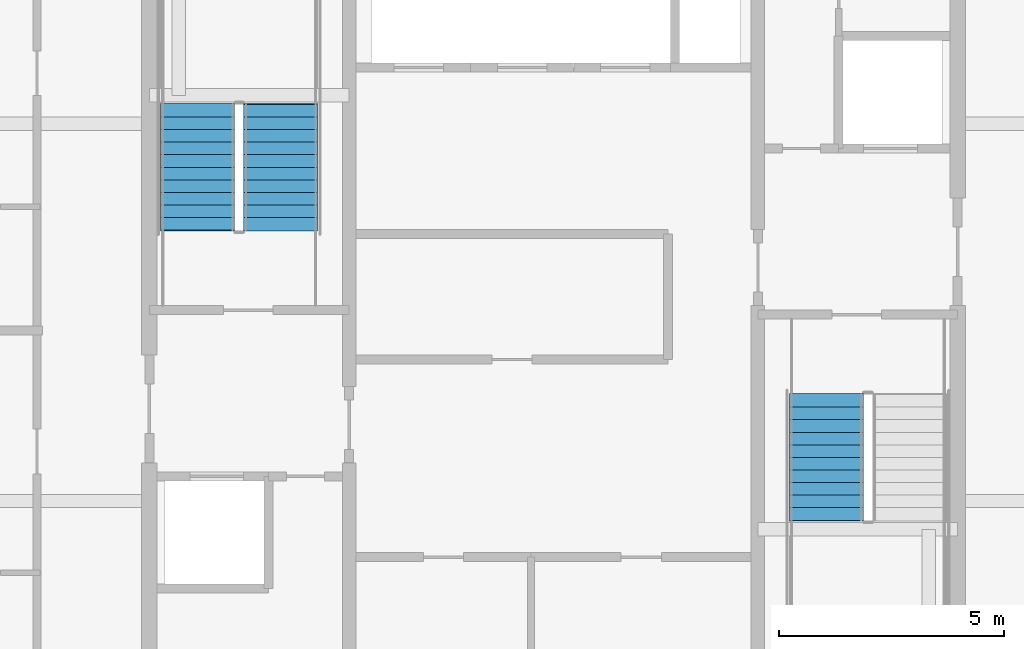
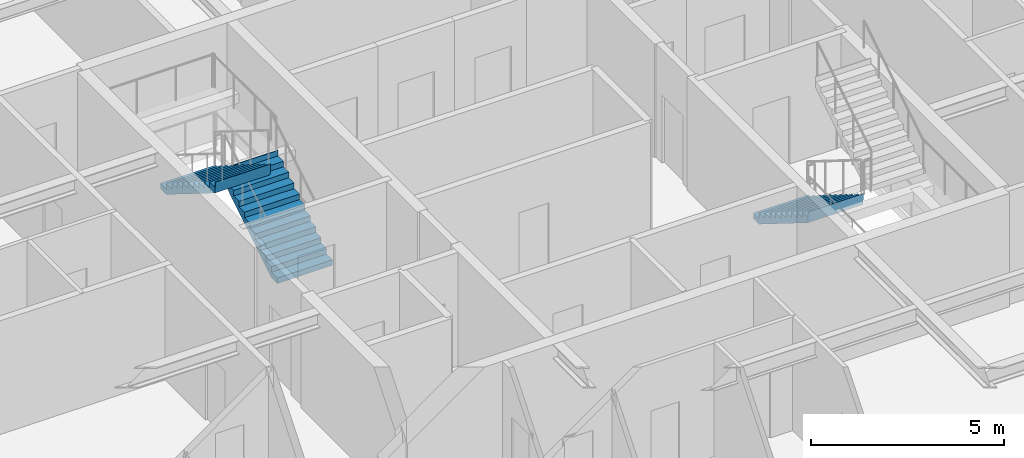
# One storey, part 31 of 37: 3 stair flights, 2 elements without a shape of their own.
"""IFC4 building model written with IfcOpenShell, lengths in metres."""

from ifc_helpers import new_model, si_unit, direction, frame, origin, place, context, subcontext, project, spatial, polygons, material, type_object, element, aggregate, save


model = new_model("IFC4")

# Units and contexts
model_context = context("Model", 3, precision=1e-05, world=origin(), true_north=direction((0.0, 1.0)))
body_context = subcontext(model_context, "Body", "Model", "MODEL_VIEW")
ifc_project = project(units=[si_unit("LENGTHUNIT", "METRE"), si_unit("AREAUNIT", "SQUARE_METRE"), si_unit("VOLUMEUNIT", "CUBIC_METRE"), si_unit("PLANEANGLEUNIT", "RADIAN"), si_unit("MASSUNIT", "GRAM", prefix="KILO")], contexts=[model_context])

# Site, building, storey
site_placement = place(None, origin())
site = spatial("IfcSite", under=ifc_project, at=site_placement, CompositionType="ELEMENT")
building_placement = place(site_placement, origin())
building = spatial("IfcBuilding", under=site, at=building_placement, Name="Serunith Strait Residences", CompositionType="ELEMENT")
storey_placement = place(building_placement, frame((0.0, 0.0, 248.949951171875)))
storey = spatial("IfcBuildingStorey", under=building, at=storey_placement, Name="L62", CompositionType="ELEMENT", Elevation=248.949951171875)

# Stair, stair flights
ifc_material = material(Name="Concrete C50/60", Category="concrete")
stair_type_1 = type_object("IfcStairType", Name="STR-CORE-1", PredefinedType="HALF_TURN_STAIR", material=ifc_material)
stair_1_placement = place(storey_placement, origin())
stair_1 = element("IfcStair", 1, at=stair_1_placement, inside=storey, type_object=stair_type_1, Name="L62 Protected Escape Stair ST-1", PredefinedType="HALF_TURN_STAIR")
stair_flight_type_1 = type_object("IfcStairFlightType", Name="FLT-CORE-1", PredefinedType="STRAIGHT", material=ifc_material)
stair_flight_1_placement = place(storey_placement, frame((26.324951171875, 27.030029296875, 0.0), z_axis=(0.0, 0.0, 1.0), x_axis=(0.0, 1.0, 0.0)))
stair_flight_1 = element("IfcStairFlight", 2, at=stair_flight_1_placement, type_object=stair_flight_type_1, Name="ST-1 flight 1", NumberOfRisers=11, NumberOfTreads=10, PredefinedType="STRAIGHT", RiserHeight=0.175, TreadLength=0.28, context=body_context, shape_type="Tessellation", body=[
    polygons([(-0.02001953125, -0.824951171875, 0.0), (-0.02001953125, -0.824951171875, 0.175048828125), (0.280029296875, -0.824951171875, 0.175048828125), (0.280029296875, -0.824951171875, 0.35009765625), (0.56005859375, -0.824951171875, 0.35009765625), (0.56005859375, -0.824951171875, 0.52490234375), (0.840087890625, -0.824951171875, 0.52490234375), (0.840087890625, -0.824951171875, 0.699951171875), (1.1201171875, -0.824951171875, 0.699951171875), (1.1201171875, -0.824951171875, 0.875), (1.39990234375, -0.824951171875, 0.875), (1.39990234375, -0.824951171875, 1.050048828125), (1.679931640625, -0.824951171875, 1.050048828125), (1.679931640625, -0.824951171875, 1.22509765625), (1.9599609375, -0.824951171875, 1.22509765625), (1.9599609375, -0.824951171875, 1.39990234375), (2.239990234375, -0.824951171875, 1.39990234375), (2.239990234375, -0.824951171875, 1.574951171875), (2.52001953125, -0.824951171875, 1.574951171875), (2.52001953125, -0.824951171875, 1.75), (2.800048828125, -0.824951171875, 1.75), (2.800048828125, -0.824951171875, 1.925048828125), (2.820068359375, -0.824951171875, 1.925048828125), (2.820068359375, -0.824951171875, 1.864990234375), (2.800048828125, -0.824951171875, 1.5732421875), (0.28271484375, -0.824951171875, 0.0), (-0.02001953125, -0.41259765625, 0.0), (-0.02001953125, -0.41259765625, 0.175048828125), (0.280029296875, -0.41259765625, 0.175048828125), (0.280029296875, -0.41259765625, 0.35009765625), (0.56005859375, -0.41259765625, 0.35009765625), (0.56005859375, -0.41259765625, 0.52490234375), (0.840087890625, -0.41259765625, 0.52490234375), (0.840087890625, -0.41259765625, 0.699951171875), (1.1201171875, -0.41259765625, 0.699951171875), (1.1201171875, -0.41259765625, 0.875), (1.39990234375, -0.41259765625, 0.875), (1.39990234375, -0.41259765625, 1.050048828125), (1.679931640625, -0.41259765625, 1.050048828125), (1.679931640625, -0.41259765625, 1.22509765625), (1.9599609375, -0.41259765625, 1.22509765625), (1.9599609375, -0.41259765625, 1.39990234375), (2.239990234375, -0.41259765625, 1.39990234375), (2.239990234375, -0.41259765625, 1.574951171875), (2.52001953125, -0.41259765625, 1.574951171875), (2.52001953125, -0.41259765625, 1.75), (2.800048828125, -0.41259765625, 1.75), (2.800048828125, -0.41259765625, 1.925048828125), (2.820068359375, -0.41259765625, 1.925048828125), (2.820068359375, -0.41259765625, 1.864990234375), (2.800048828125, -0.41259765625, 1.5732421875), (0.28271484375, -0.41259765625, 0.0), (-0.02001953125, 0.0, 0.0), (-0.02001953125, 0.0, 0.175048828125), (0.280029296875, 0.0, 0.175048828125), (0.280029296875, 0.0, 0.35009765625), (0.56005859375, 0.0, 0.35009765625), (0.56005859375, 0.0, 0.52490234375), (0.840087890625, 0.0, 0.52490234375), (0.840087890625, 0.0, 0.699951171875), (1.1201171875, 0.0, 0.699951171875), (1.1201171875, 0.0, 0.875), (1.39990234375, 0.0, 0.875), (1.39990234375, 0.0, 1.050048828125), (1.679931640625, 0.0, 1.050048828125), (1.679931640625, 0.0, 1.22509765625), (1.9599609375, 0.0, 1.22509765625), (1.9599609375, 0.0, 1.39990234375), (2.239990234375, 0.0, 1.39990234375), (2.239990234375, 0.0, 1.574951171875), (2.52001953125, 0.0, 1.574951171875), (2.52001953125, 0.0, 1.75), (2.800048828125, 0.0, 1.75), (2.800048828125, 0.0, 1.925048828125), (2.820068359375, 0.0, 1.925048828125), (2.820068359375, 0.0, 1.864990234375), (2.800048828125, 0.0, 1.5732421875), (0.28271484375, 0.0, 0.0), (-0.02001953125, 0.41259765625, 0.0), (-0.02001953125, 0.41259765625, 0.175048828125), (0.280029296875, 0.41259765625, 0.175048828125), (0.280029296875, 0.41259765625, 0.35009765625), (0.56005859375, 0.41259765625, 0.35009765625), (0.56005859375, 0.41259765625, 0.52490234375), (0.840087890625, 0.41259765625, 0.52490234375), (0.840087890625, 0.41259765625, 0.699951171875), (1.1201171875, 0.41259765625, 0.699951171875), (1.1201171875, 0.41259765625, 0.875), (1.39990234375, 0.41259765625, 0.875), (1.39990234375, 0.41259765625, 1.050048828125), (1.679931640625, 0.41259765625, 1.050048828125), (1.679931640625, 0.41259765625, 1.22509765625), (1.9599609375, 0.41259765625, 1.22509765625), (1.9599609375, 0.41259765625, 1.39990234375), (2.239990234375, 0.41259765625, 1.39990234375), (2.239990234375, 0.41259765625, 1.574951171875), (2.52001953125, 0.41259765625, 1.574951171875), (2.52001953125, 0.41259765625, 1.75), (2.800048828125, 0.41259765625, 1.75), (2.800048828125, 0.41259765625, 1.925048828125), (2.820068359375, 0.41259765625, 1.925048828125), (2.820068359375, 0.41259765625, 1.864990234375), (2.800048828125, 0.41259765625, 1.5732421875), (0.28271484375, 0.41259765625, 0.0), (-0.02001953125, 0.824951171875, 0.0), (-0.02001953125, 0.824951171875, 0.175048828125), (0.280029296875, 0.824951171875, 0.175048828125), (0.280029296875, 0.824951171875, 0.35009765625), (0.56005859375, 0.824951171875, 0.35009765625), (0.56005859375, 0.824951171875, 0.52490234375), (0.840087890625, 0.824951171875, 0.52490234375), (0.840087890625, 0.824951171875, 0.699951171875), (1.1201171875, 0.824951171875, 0.699951171875), (1.1201171875, 0.824951171875, 0.875), (1.39990234375, 0.824951171875, 0.875), (1.39990234375, 0.824951171875, 1.050048828125), (1.679931640625, 0.824951171875, 1.050048828125), (1.679931640625, 0.824951171875, 1.22509765625), (1.9599609375, 0.824951171875, 1.22509765625), (1.9599609375, 0.824951171875, 1.39990234375), (2.239990234375, 0.824951171875, 1.39990234375), (2.239990234375, 0.824951171875, 1.574951171875), (2.52001953125, 0.824951171875, 1.574951171875), (2.52001953125, 0.824951171875, 1.75), (2.800048828125, 0.824951171875, 1.75), (2.800048828125, 0.824951171875, 1.925048828125), (2.820068359375, 0.824951171875, 1.925048828125), (2.820068359375, 0.824951171875, 1.864990234375), (2.800048828125, 0.824951171875, 1.5732421875), (0.28271484375, 0.824951171875, 0.0)], [[[1, 2, 28, 27]], [[2, 3, 29, 28]], [[3, 4, 30, 29]], [[4, 5, 31, 30]], [[5, 6, 32, 31]], [[6, 7, 33, 32]], [[7, 8, 34, 33]], [[8, 9, 35, 34]], [[9, 10, 36, 35]], [[10, 11, 37, 36]], [[11, 12, 38, 37]], [[12, 13, 39, 38]], [[13, 14, 40, 39]], [[14, 15, 41, 40]], [[15, 16, 42, 41]], [[16, 17, 43, 42]], [[17, 18, 44, 43]], [[18, 19, 45, 44]], [[19, 20, 46, 45]], [[20, 21, 47, 46]], [[21, 22, 48, 47]], [[22, 23, 49, 48]], [[23, 24, 50, 49]], [[24, 25, 51, 50]], [[25, 26, 52, 51]], [[26, 1, 27, 52]], [[27, 28, 54, 53]], [[28, 29, 55, 54]], [[29, 30, 56, 55]], [[30, 31, 57, 56]], [[31, 32, 58, 57]], [[32, 33, 59, 58]], [[33, 34, 60, 59]], [[34, 35, 61, 60]], [[35, 36, 62, 61]], [[36, 37, 63, 62]], [[37, 38, 64, 63]], [[38, 39, 65, 64]], [[39, 40, 66, 65]], [[40, 41, 67, 66]], [[41, 42, 68, 67]], [[42, 43, 69, 68]], [[43, 44, 70, 69]], [[44, 45, 71, 70]], [[45, 46, 72, 71]], [[46, 47, 73, 72]], [[47, 48, 74, 73]], [[48, 49, 75, 74]], [[49, 50, 76, 75]], [[50, 51, 77, 76]], [[51, 52, 78, 77]], [[52, 27, 53, 78]], [[53, 54, 80, 79]], [[54, 55, 81, 80]], [[55, 56, 82, 81]], [[56, 57, 83, 82]], [[57, 58, 84, 83]], [[58, 59, 85, 84]], [[59, 60, 86, 85]], [[60, 61, 87, 86]], [[61, 62, 88, 87]], [[62, 63, 89, 88]], [[63, 64, 90, 89]], [[64, 65, 91, 90]], [[65, 66, 92, 91]], [[66, 67, 93, 92]], [[67, 68, 94, 93]], [[68, 69, 95, 94]], [[69, 70, 96, 95]], [[70, 71, 97, 96]], [[71, 72, 98, 97]], [[72, 73, 99, 98]], [[73, 74, 100, 99]], [[74, 75, 101, 100]], [[75, 76, 102, 101]], [[76, 77, 103, 102]], [[77, 78, 104, 103]], [[78, 53, 79, 104]], [[79, 80, 106, 105]], [[80, 81, 107, 106]], [[81, 82, 108, 107]], [[82, 83, 109, 108]], [[83, 84, 110, 109]], [[84, 85, 111, 110]], [[85, 86, 112, 111]], [[86, 87, 113, 112]], [[87, 88, 114, 113]], [[88, 89, 115, 114]], [[89, 90, 116, 115]], [[90, 91, 117, 116]], [[91, 92, 118, 117]], [[92, 93, 119, 118]], [[93, 94, 120, 119]], [[94, 95, 121, 120]], [[95, 96, 122, 121]], [[96, 97, 123, 122]], [[97, 98, 124, 123]], [[98, 99, 125, 124]], [[99, 100, 126, 125]], [[100, 101, 127, 126]], [[101, 102, 128, 127]], [[102, 103, 129, 128]], [[103, 104, 130, 129]], [[104, 79, 105, 130]], [[26, 25, 24, 23, 22, 21, 20, 19, 18, 17, 16, 15, 14, 13, 12, 11, 10, 9, 8, 7, 6, 5, 4, 3, 2, 1]], [[105, 106, 107, 108, 109, 110, 111, 112, 113, 114, 115, 116, 117, 118, 119, 120, 121, 122, 123, 124, 125, 126, 127, 128, 129, 130]]], closed=True),
])
stair_flight_2_placement = place(storey_placement, frame((24.47509765625, 29.830078125, 1.925048828125), z_axis=(0.0, 0.0, 1.0), x_axis=(0.0, -1.0, 0.0)))
stair_flight_2 = element("IfcStairFlight", 3, at=stair_flight_2_placement, type_object=stair_flight_type_1, Name="ST-1 flight 2", NumberOfRisers=11, NumberOfTreads=10, PredefinedType="STRAIGHT", RiserHeight=0.175, TreadLength=0.28, context=body_context, shape_type="Tessellation", body=[
    polygons([(-0.02001953125, -0.824951171875, 0.0), (-0.02001953125, -0.824951171875, 0.175048828125), (0.280029296875, -0.824951171875, 0.175048828125), (0.280029296875, -0.824951171875, 0.35009765625), (0.56005859375, -0.824951171875, 0.35009765625), (0.56005859375, -0.824951171875, 0.52490234375), (0.840087890625, -0.824951171875, 0.52490234375), (0.840087890625, -0.824951171875, 0.699951171875), (1.1201171875, -0.824951171875, 0.699951171875), (1.1201171875, -0.824951171875, 0.875), (1.39990234375, -0.824951171875, 0.875), (1.39990234375, -0.824951171875, 1.050048828125), (1.679931640625, -0.824951171875, 1.050048828125), (1.679931640625, -0.824951171875, 1.22509765625), (1.9599609375, -0.824951171875, 1.22509765625), (1.9599609375, -0.824951171875, 1.39990234375), (2.239990234375, -0.824951171875, 1.39990234375), (2.239990234375, -0.824951171875, 1.574951171875), (2.52001953125, -0.824951171875, 1.574951171875), (2.52001953125, -0.824951171875, 1.75), (2.800048828125, -0.824951171875, 1.75), (2.800048828125, -0.824951171875, 1.925048828125), (2.820068359375, -0.824951171875, 1.925048828125), (2.820068359375, -0.824951171875, 1.864990234375), (2.800048828125, -0.824951171875, 1.5732421875), (0.28271484375, -0.824951171875, 0.0), (-0.02001953125, -0.41259765625, 0.0), (-0.02001953125, -0.41259765625, 0.175048828125), (0.280029296875, -0.41259765625, 0.175048828125), (0.280029296875, -0.41259765625, 0.35009765625), (0.56005859375, -0.41259765625, 0.35009765625), (0.56005859375, -0.41259765625, 0.52490234375), (0.840087890625, -0.41259765625, 0.52490234375), (0.840087890625, -0.41259765625, 0.699951171875), (1.1201171875, -0.41259765625, 0.699951171875), (1.1201171875, -0.41259765625, 0.875), (1.39990234375, -0.41259765625, 0.875), (1.39990234375, -0.41259765625, 1.050048828125), (1.679931640625, -0.41259765625, 1.050048828125), (1.679931640625, -0.41259765625, 1.22509765625), (1.9599609375, -0.41259765625, 1.22509765625), (1.9599609375, -0.41259765625, 1.39990234375), (2.239990234375, -0.41259765625, 1.39990234375), (2.239990234375, -0.41259765625, 1.574951171875), (2.52001953125, -0.41259765625, 1.574951171875), (2.52001953125, -0.41259765625, 1.75), (2.800048828125, -0.41259765625, 1.75), (2.800048828125, -0.41259765625, 1.925048828125), (2.820068359375, -0.41259765625, 1.925048828125), (2.820068359375, -0.41259765625, 1.864990234375), (2.800048828125, -0.41259765625, 1.5732421875), (0.28271484375, -0.41259765625, 0.0), (-0.02001953125, 0.0, 0.0), (-0.02001953125, 0.0, 0.175048828125), (0.280029296875, 0.0, 0.175048828125), (0.280029296875, 0.0, 0.35009765625), (0.56005859375, 0.0, 0.35009765625), (0.56005859375, 0.0, 0.52490234375), (0.840087890625, 0.0, 0.52490234375), (0.840087890625, 0.0, 0.699951171875), (1.1201171875, 0.0, 0.699951171875), (1.1201171875, 0.0, 0.875), (1.39990234375, 0.0, 0.875), (1.39990234375, 0.0, 1.050048828125), (1.679931640625, 0.0, 1.050048828125), (1.679931640625, 0.0, 1.22509765625), (1.9599609375, 0.0, 1.22509765625), (1.9599609375, 0.0, 1.39990234375), (2.239990234375, 0.0, 1.39990234375), (2.239990234375, 0.0, 1.574951171875), (2.52001953125, 0.0, 1.574951171875), (2.52001953125, 0.0, 1.75), (2.800048828125, 0.0, 1.75), (2.800048828125, 0.0, 1.925048828125), (2.820068359375, 0.0, 1.925048828125), (2.820068359375, 0.0, 1.864990234375), (2.800048828125, 0.0, 1.5732421875), (0.28271484375, 0.0, 0.0), (-0.02001953125, 0.41259765625, 0.0), (-0.02001953125, 0.41259765625, 0.175048828125), (0.280029296875, 0.41259765625, 0.175048828125), (0.280029296875, 0.41259765625, 0.35009765625), (0.56005859375, 0.41259765625, 0.35009765625), (0.56005859375, 0.41259765625, 0.52490234375), (0.840087890625, 0.41259765625, 0.52490234375), (0.840087890625, 0.41259765625, 0.699951171875), (1.1201171875, 0.41259765625, 0.699951171875), (1.1201171875, 0.41259765625, 0.875), (1.39990234375, 0.41259765625, 0.875), (1.39990234375, 0.41259765625, 1.050048828125), (1.679931640625, 0.41259765625, 1.050048828125), (1.679931640625, 0.41259765625, 1.22509765625), (1.9599609375, 0.41259765625, 1.22509765625), (1.9599609375, 0.41259765625, 1.39990234375), (2.239990234375, 0.41259765625, 1.39990234375), (2.239990234375, 0.41259765625, 1.574951171875), (2.52001953125, 0.41259765625, 1.574951171875), (2.52001953125, 0.41259765625, 1.75), (2.800048828125, 0.41259765625, 1.75), (2.800048828125, 0.41259765625, 1.925048828125), (2.820068359375, 0.41259765625, 1.925048828125), (2.820068359375, 0.41259765625, 1.864990234375), (2.800048828125, 0.41259765625, 1.5732421875), (0.28271484375, 0.41259765625, 0.0), (-0.02001953125, 0.824951171875, 0.0), (-0.02001953125, 0.824951171875, 0.175048828125), (0.280029296875, 0.824951171875, 0.175048828125), (0.280029296875, 0.824951171875, 0.35009765625), (0.56005859375, 0.824951171875, 0.35009765625), (0.56005859375, 0.824951171875, 0.52490234375), (0.840087890625, 0.824951171875, 0.52490234375), (0.840087890625, 0.824951171875, 0.699951171875), (1.1201171875, 0.824951171875, 0.699951171875), (1.1201171875, 0.824951171875, 0.875), (1.39990234375, 0.824951171875, 0.875), (1.39990234375, 0.824951171875, 1.050048828125), (1.679931640625, 0.824951171875, 1.050048828125), (1.679931640625, 0.824951171875, 1.22509765625), (1.9599609375, 0.824951171875, 1.22509765625), (1.9599609375, 0.824951171875, 1.39990234375), (2.239990234375, 0.824951171875, 1.39990234375), (2.239990234375, 0.824951171875, 1.574951171875), (2.52001953125, 0.824951171875, 1.574951171875), (2.52001953125, 0.824951171875, 1.75), (2.800048828125, 0.824951171875, 1.75), (2.800048828125, 0.824951171875, 1.925048828125), (2.820068359375, 0.824951171875, 1.925048828125), (2.820068359375, 0.824951171875, 1.864990234375), (2.800048828125, 0.824951171875, 1.5732421875), (0.28271484375, 0.824951171875, 0.0)], [[[1, 2, 28, 27]], [[2, 3, 29, 28]], [[3, 4, 30, 29]], [[4, 5, 31, 30]], [[5, 6, 32, 31]], [[6, 7, 33, 32]], [[7, 8, 34, 33]], [[8, 9, 35, 34]], [[9, 10, 36, 35]], [[10, 11, 37, 36]], [[11, 12, 38, 37]], [[12, 13, 39, 38]], [[13, 14, 40, 39]], [[14, 15, 41, 40]], [[15, 16, 42, 41]], [[16, 17, 43, 42]], [[17, 18, 44, 43]], [[18, 19, 45, 44]], [[19, 20, 46, 45]], [[20, 21, 47, 46]], [[21, 22, 48, 47]], [[22, 23, 49, 48]], [[23, 24, 50, 49]], [[24, 25, 51, 50]], [[25, 26, 52, 51]], [[26, 1, 27, 52]], [[27, 28, 54, 53]], [[28, 29, 55, 54]], [[29, 30, 56, 55]], [[30, 31, 57, 56]], [[31, 32, 58, 57]], [[32, 33, 59, 58]], [[33, 34, 60, 59]], [[34, 35, 61, 60]], [[35, 36, 62, 61]], [[36, 37, 63, 62]], [[37, 38, 64, 63]], [[38, 39, 65, 64]], [[39, 40, 66, 65]], [[40, 41, 67, 66]], [[41, 42, 68, 67]], [[42, 43, 69, 68]], [[43, 44, 70, 69]], [[44, 45, 71, 70]], [[45, 46, 72, 71]], [[46, 47, 73, 72]], [[47, 48, 74, 73]], [[48, 49, 75, 74]], [[49, 50, 76, 75]], [[50, 51, 77, 76]], [[51, 52, 78, 77]], [[52, 27, 53, 78]], [[53, 54, 80, 79]], [[54, 55, 81, 80]], [[55, 56, 82, 81]], [[56, 57, 83, 82]], [[57, 58, 84, 83]], [[58, 59, 85, 84]], [[59, 60, 86, 85]], [[60, 61, 87, 86]], [[61, 62, 88, 87]], [[62, 63, 89, 88]], [[63, 64, 90, 89]], [[64, 65, 91, 90]], [[65, 66, 92, 91]], [[66, 67, 93, 92]], [[67, 68, 94, 93]], [[68, 69, 95, 94]], [[69, 70, 96, 95]], [[70, 71, 97, 96]], [[71, 72, 98, 97]], [[72, 73, 99, 98]], [[73, 74, 100, 99]], [[74, 75, 101, 100]], [[75, 76, 102, 101]], [[76, 77, 103, 102]], [[77, 78, 104, 103]], [[78, 53, 79, 104]], [[79, 80, 106, 105]], [[80, 81, 107, 106]], [[81, 82, 108, 107]], [[82, 83, 109, 108]], [[83, 84, 110, 109]], [[84, 85, 111, 110]], [[85, 86, 112, 111]], [[86, 87, 113, 112]], [[87, 88, 114, 113]], [[88, 89, 115, 114]], [[89, 90, 116, 115]], [[90, 91, 117, 116]], [[91, 92, 118, 117]], [[92, 93, 119, 118]], [[93, 94, 120, 119]], [[94, 95, 121, 120]], [[95, 96, 122, 121]], [[96, 97, 123, 122]], [[97, 98, 124, 123]], [[98, 99, 125, 124]], [[99, 100, 126, 125]], [[100, 101, 127, 126]], [[101, 102, 128, 127]], [[102, 103, 129, 128]], [[103, 104, 130, 129]], [[104, 79, 105, 130]], [[26, 25, 24, 23, 22, 21, 20, 19, 18, 17, 16, 15, 14, 13, 12, 11, 10, 9, 8, 7, 6, 5, 4, 3, 2, 1]], [[105, 106, 107, 108, 109, 110, 111, 112, 113, 114, 115, 116, 117, 118, 119, 120, 121, 122, 123, 124, 125, 126, 127, 128, 129, 130]]], closed=True),
])
aggregate(stair_1, [stair_flight_1, stair_flight_2])

# Stair, stair flight
stair_type_2 = type_object("IfcStairType", Name="STR-CORE-2", PredefinedType="HALF_TURN_STAIR", material=ifc_material)
stair_2_placement = place(storey_placement, origin())
stair_2 = element("IfcStair", 4, at=stair_2_placement, inside=storey, type_object=stair_type_2, Name="L62 Protected Escape Stair ST-2", PredefinedType="HALF_TURN_STAIR")
stair_flight_type_2 = type_object("IfcStairFlightType", Name="FLT-CORE-2", PredefinedType="STRAIGHT", material=ifc_material)
stair_flight_3_placement = place(storey_placement, frame((38.47509765625, 23.3701171875, 0.0), z_axis=(0.0, 0.0, 1.0), x_axis=(0.0, -1.0, 0.0)))
stair_flight_3 = element("IfcStairFlight", 5, at=stair_flight_3_placement, type_object=stair_flight_type_2, Name="ST-2 flight 1", NumberOfRisers=11, NumberOfTreads=10, PredefinedType="STRAIGHT", RiserHeight=0.175, TreadLength=0.28, context=body_context, shape_type="Tessellation", body=[
    polygons([(-0.02001953125, -0.824951171875, 0.0), (-0.02001953125, -0.824951171875, 0.175048828125), (0.280029296875, -0.824951171875, 0.175048828125), (0.280029296875, -0.824951171875, 0.35009765625), (0.56005859375, -0.824951171875, 0.35009765625), (0.56005859375, -0.824951171875, 0.52490234375), (0.840087890625, -0.824951171875, 0.52490234375), (0.840087890625, -0.824951171875, 0.699951171875), (1.1201171875, -0.824951171875, 0.699951171875), (1.1201171875, -0.824951171875, 0.875), (1.39990234375, -0.824951171875, 0.875), (1.39990234375, -0.824951171875, 1.050048828125), (1.679931640625, -0.824951171875, 1.050048828125), (1.679931640625, -0.824951171875, 1.22509765625), (1.9599609375, -0.824951171875, 1.22509765625), (1.9599609375, -0.824951171875, 1.39990234375), (2.239990234375, -0.824951171875, 1.39990234375), (2.239990234375, -0.824951171875, 1.574951171875), (2.52001953125, -0.824951171875, 1.574951171875), (2.52001953125, -0.824951171875, 1.75), (2.800048828125, -0.824951171875, 1.75), (2.800048828125, -0.824951171875, 1.925048828125), (2.820068359375, -0.824951171875, 1.925048828125), (2.820068359375, -0.824951171875, 1.864990234375), (2.800048828125, -0.824951171875, 1.5732421875), (0.28271484375, -0.824951171875, 0.0), (-0.02001953125, -0.41259765625, 0.0), (-0.02001953125, -0.41259765625, 0.175048828125), (0.280029296875, -0.41259765625, 0.175048828125), (0.280029296875, -0.41259765625, 0.35009765625), (0.56005859375, -0.41259765625, 0.35009765625), (0.56005859375, -0.41259765625, 0.52490234375), (0.840087890625, -0.41259765625, 0.52490234375), (0.840087890625, -0.41259765625, 0.699951171875), (1.1201171875, -0.41259765625, 0.699951171875), (1.1201171875, -0.41259765625, 0.875), (1.39990234375, -0.41259765625, 0.875), (1.39990234375, -0.41259765625, 1.050048828125), (1.679931640625, -0.41259765625, 1.050048828125), (1.679931640625, -0.41259765625, 1.22509765625), (1.9599609375, -0.41259765625, 1.22509765625), (1.9599609375, -0.41259765625, 1.39990234375), (2.239990234375, -0.41259765625, 1.39990234375), (2.239990234375, -0.41259765625, 1.574951171875), (2.52001953125, -0.41259765625, 1.574951171875), (2.52001953125, -0.41259765625, 1.75), (2.800048828125, -0.41259765625, 1.75), (2.800048828125, -0.41259765625, 1.925048828125), (2.820068359375, -0.41259765625, 1.925048828125), (2.820068359375, -0.41259765625, 1.864990234375), (2.800048828125, -0.41259765625, 1.5732421875), (0.28271484375, -0.41259765625, 0.0), (-0.02001953125, 0.0, 0.0), (-0.02001953125, 0.0, 0.175048828125), (0.280029296875, 0.0, 0.175048828125), (0.280029296875, 0.0, 0.35009765625), (0.56005859375, 0.0, 0.35009765625), (0.56005859375, 0.0, 0.52490234375), (0.840087890625, 0.0, 0.52490234375), (0.840087890625, 0.0, 0.699951171875), (1.1201171875, 0.0, 0.699951171875), (1.1201171875, 0.0, 0.875), (1.39990234375, 0.0, 0.875), (1.39990234375, 0.0, 1.050048828125), (1.679931640625, 0.0, 1.050048828125), (1.679931640625, 0.0, 1.22509765625), (1.9599609375, 0.0, 1.22509765625), (1.9599609375, 0.0, 1.39990234375), (2.239990234375, 0.0, 1.39990234375), (2.239990234375, 0.0, 1.574951171875), (2.52001953125, 0.0, 1.574951171875), (2.52001953125, 0.0, 1.75), (2.800048828125, 0.0, 1.75), (2.800048828125, 0.0, 1.925048828125), (2.820068359375, 0.0, 1.925048828125), (2.820068359375, 0.0, 1.864990234375), (2.800048828125, 0.0, 1.5732421875), (0.28271484375, 0.0, 0.0), (-0.02001953125, 0.41259765625, 0.0), (-0.02001953125, 0.41259765625, 0.175048828125), (0.280029296875, 0.41259765625, 0.175048828125), (0.280029296875, 0.41259765625, 0.35009765625), (0.56005859375, 0.41259765625, 0.35009765625), (0.56005859375, 0.41259765625, 0.52490234375), (0.840087890625, 0.41259765625, 0.52490234375), (0.840087890625, 0.41259765625, 0.699951171875), (1.1201171875, 0.41259765625, 0.699951171875), (1.1201171875, 0.41259765625, 0.875), (1.39990234375, 0.41259765625, 0.875), (1.39990234375, 0.41259765625, 1.050048828125), (1.679931640625, 0.41259765625, 1.050048828125), (1.679931640625, 0.41259765625, 1.22509765625), (1.9599609375, 0.41259765625, 1.22509765625), (1.9599609375, 0.41259765625, 1.39990234375), (2.239990234375, 0.41259765625, 1.39990234375), (2.239990234375, 0.41259765625, 1.574951171875), (2.52001953125, 0.41259765625, 1.574951171875), (2.52001953125, 0.41259765625, 1.75), (2.800048828125, 0.41259765625, 1.75), (2.800048828125, 0.41259765625, 1.925048828125), (2.820068359375, 0.41259765625, 1.925048828125), (2.820068359375, 0.41259765625, 1.864990234375), (2.800048828125, 0.41259765625, 1.5732421875), (0.28271484375, 0.41259765625, 0.0), (-0.02001953125, 0.824951171875, 0.0), (-0.02001953125, 0.824951171875, 0.175048828125), (0.280029296875, 0.824951171875, 0.175048828125), (0.280029296875, 0.824951171875, 0.35009765625), (0.56005859375, 0.824951171875, 0.35009765625), (0.56005859375, 0.824951171875, 0.52490234375), (0.840087890625, 0.824951171875, 0.52490234375), (0.840087890625, 0.824951171875, 0.699951171875), (1.1201171875, 0.824951171875, 0.699951171875), (1.1201171875, 0.824951171875, 0.875), (1.39990234375, 0.824951171875, 0.875), (1.39990234375, 0.824951171875, 1.050048828125), (1.679931640625, 0.824951171875, 1.050048828125), (1.679931640625, 0.824951171875, 1.22509765625), (1.9599609375, 0.824951171875, 1.22509765625), (1.9599609375, 0.824951171875, 1.39990234375), (2.239990234375, 0.824951171875, 1.39990234375), (2.239990234375, 0.824951171875, 1.574951171875), (2.52001953125, 0.824951171875, 1.574951171875), (2.52001953125, 0.824951171875, 1.75), (2.800048828125, 0.824951171875, 1.75), (2.800048828125, 0.824951171875, 1.925048828125), (2.820068359375, 0.824951171875, 1.925048828125), (2.820068359375, 0.824951171875, 1.864990234375), (2.800048828125, 0.824951171875, 1.5732421875), (0.28271484375, 0.824951171875, 0.0)], [[[1, 2, 28, 27]], [[2, 3, 29, 28]], [[3, 4, 30, 29]], [[4, 5, 31, 30]], [[5, 6, 32, 31]], [[6, 7, 33, 32]], [[7, 8, 34, 33]], [[8, 9, 35, 34]], [[9, 10, 36, 35]], [[10, 11, 37, 36]], [[11, 12, 38, 37]], [[12, 13, 39, 38]], [[13, 14, 40, 39]], [[14, 15, 41, 40]], [[15, 16, 42, 41]], [[16, 17, 43, 42]], [[17, 18, 44, 43]], [[18, 19, 45, 44]], [[19, 20, 46, 45]], [[20, 21, 47, 46]], [[21, 22, 48, 47]], [[22, 23, 49, 48]], [[23, 24, 50, 49]], [[24, 25, 51, 50]], [[25, 26, 52, 51]], [[26, 1, 27, 52]], [[27, 28, 54, 53]], [[28, 29, 55, 54]], [[29, 30, 56, 55]], [[30, 31, 57, 56]], [[31, 32, 58, 57]], [[32, 33, 59, 58]], [[33, 34, 60, 59]], [[34, 35, 61, 60]], [[35, 36, 62, 61]], [[36, 37, 63, 62]], [[37, 38, 64, 63]], [[38, 39, 65, 64]], [[39, 40, 66, 65]], [[40, 41, 67, 66]], [[41, 42, 68, 67]], [[42, 43, 69, 68]], [[43, 44, 70, 69]], [[44, 45, 71, 70]], [[45, 46, 72, 71]], [[46, 47, 73, 72]], [[47, 48, 74, 73]], [[48, 49, 75, 74]], [[49, 50, 76, 75]], [[50, 51, 77, 76]], [[51, 52, 78, 77]], [[52, 27, 53, 78]], [[53, 54, 80, 79]], [[54, 55, 81, 80]], [[55, 56, 82, 81]], [[56, 57, 83, 82]], [[57, 58, 84, 83]], [[58, 59, 85, 84]], [[59, 60, 86, 85]], [[60, 61, 87, 86]], [[61, 62, 88, 87]], [[62, 63, 89, 88]], [[63, 64, 90, 89]], [[64, 65, 91, 90]], [[65, 66, 92, 91]], [[66, 67, 93, 92]], [[67, 68, 94, 93]], [[68, 69, 95, 94]], [[69, 70, 96, 95]], [[70, 71, 97, 96]], [[71, 72, 98, 97]], [[72, 73, 99, 98]], [[73, 74, 100, 99]], [[74, 75, 101, 100]], [[75, 76, 102, 101]], [[76, 77, 103, 102]], [[77, 78, 104, 103]], [[78, 53, 79, 104]], [[79, 80, 106, 105]], [[80, 81, 107, 106]], [[81, 82, 108, 107]], [[82, 83, 109, 108]], [[83, 84, 110, 109]], [[84, 85, 111, 110]], [[85, 86, 112, 111]], [[86, 87, 113, 112]], [[87, 88, 114, 113]], [[88, 89, 115, 114]], [[89, 90, 116, 115]], [[90, 91, 117, 116]], [[91, 92, 118, 117]], [[92, 93, 119, 118]], [[93, 94, 120, 119]], [[94, 95, 121, 120]], [[95, 96, 122, 121]], [[96, 97, 123, 122]], [[97, 98, 124, 123]], [[98, 99, 125, 124]], [[99, 100, 126, 125]], [[100, 101, 127, 126]], [[101, 102, 128, 127]], [[102, 103, 129, 128]], [[103, 104, 130, 129]], [[104, 79, 105, 130]], [[26, 25, 24, 23, 22, 21, 20, 19, 18, 17, 16, 15, 14, 13, 12, 11, 10, 9, 8, 7, 6, 5, 4, 3, 2, 1]], [[105, 106, 107, 108, 109, 110, 111, 112, 113, 114, 115, 116, 117, 118, 119, 120, 121, 122, 123, 124, 125, 126, 127, 128, 129, 130]]], closed=True),
])
aggregate(stair_2, [stair_flight_3])

save(model, "model.ifc")
